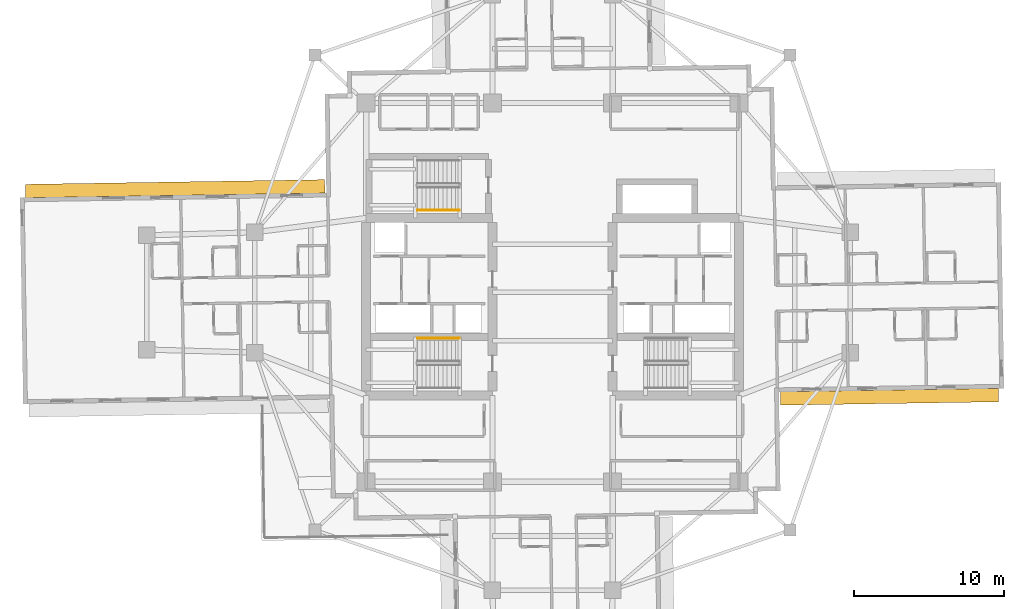
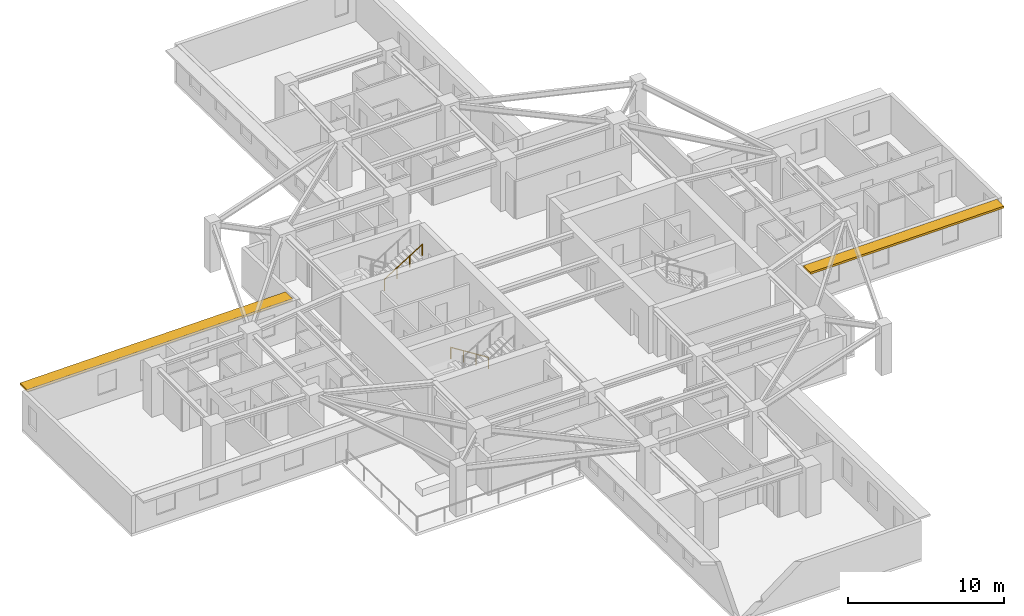
# One storey, part 12 of 14: 2 railings, 2 shading devices.
"""IFC4 building model written with IfcOpenShell, lengths in metres."""

from ifc_helpers import new_model, si_unit, direction, frame, origin, origin_2d, place, context, subcontext, project, spatial, rectangle, circle, extrude, material, layer, layer_set, type_object, element, save


model = new_model("IFC4")

# Units and contexts
model_context = context("Model", 3, precision=1e-05, world=origin(), true_north=direction((0.0, 1.0)))
body_context = subcontext(model_context, "Body", "Model", "MODEL_VIEW")
ifc_project = project(units=[si_unit("LENGTHUNIT", "METRE"), si_unit("AREAUNIT", "SQUARE_METRE"), si_unit("VOLUMEUNIT", "CUBIC_METRE"), si_unit("PLANEANGLEUNIT", "RADIAN"), si_unit("MASSUNIT", "GRAM", prefix="KILO")], contexts=[model_context])

# Site, building, storey
site_placement = place(None, origin())
site = spatial("IfcSite", under=ifc_project, at=site_placement, CompositionType="ELEMENT")
building_placement = place(site_placement, origin())
building = spatial("IfcBuilding", under=site, at=building_placement, Name="Qingluan Cross Belvedere", CompositionType="ELEMENT")
storey_placement = place(building_placement, frame((0.0, 0.0, 108.60009765625)))
storey = spatial("IfcBuildingStorey", under=building, at=storey_placement, Name="L27", CompositionType="ELEMENT", Elevation=108.60009765625)

# Shading devices
ifc_material_1 = material(Name="Precast concrete C45", Category="concrete")
ifc_layer = layer(ifc_material_1, 0.159912109375, Name="ConcreteSunshadeBand_900")
ifc_layer_set = layer_set([ifc_layer], Name="Precast concrete C45")
shading_device_type = type_object("IfcShadingDeviceType", Name="ConcreteSunshadeBand_900", PredefinedType="USERDEFINED", material=ifc_layer_set)
shading_device_1_placement = place(storey_placement, frame((22.40185546875, -6.93896484375, 2.7900390625), z_axis=(0.0, 0.0, 1.0), x_axis=(0.999876630106, 0.015707468526, 0.0)))
element("IfcShadingDevice", 1, at=shading_device_1_placement, inside=storey, type_object=shading_device_type, Name="Concrete SUNSHADE L27-EA", ObjectType="SUNSHADE", PredefinedType="USERDEFINED", context=body_context, shape_type="SweptSolid", body=[
    extrude(rectangle(XDim=14.5, YDim=0.89990234375, at=origin_2d()), origin(), (0.0, 0.0, 1.0), 0.159912109375),
])
shading_device_2_placement = place(storey_placement, frame((-25.101318359375, 6.896484375, 2.7900390625), z_axis=(0.0, 0.0, 1.0), x_axis=(-0.999876645576, -0.015706483741, 0.0)))
element("IfcShadingDevice", 2, at=shading_device_2_placement, inside=storey, type_object=shading_device_type, Name="Concrete SUNSHADE L27-WA", ObjectType="SUNSHADE", PredefinedType="USERDEFINED", context=body_context, shape_type="SweptSolid", body=[
    extrude(rectangle(XDim=19.89990234375, YDim=0.89990234375, at=origin_2d()), origin(), (0.0, 0.0, 1.0), 0.159912109375),
])

# Railings
ifc_material_2 = material(Name="Brushed stainless steel tubular handrail", Category="steel")
railing_type = type_object("IfcRailingType", Name="StairPitchHandrail_900", PredefinedType="HANDRAIL", material=ifc_material_2)
railing_1_placement = place(storey_placement, frame((-6.179931640625, -3.050048828125, 0.17724609375)))
element("IfcRailing", 3, at=railing_1_placement, inside=storey, type_object=railing_type, Name="L27 ST1 stair handrail 1", PredefinedType="HANDRAIL", context=body_context, shape_type="SweptSolid", body=[
    extrude(circle(Radius=0.02392578125, at=origin_2d()), frame((0.0, 0.0, 0.8759765625), z_axis=(-0.844908973607, 0.0, 0.534910110503), x_axis=(0.0, -1.0, 0.0)), (0.0, 0.0, 1.0), 3.31396484375),
    extrude(circle(Radius=0.02099609375, at=origin_2d()), origin(), (0.0, 0.0, 1.0), 0.851806640625),
    extrude(circle(Radius=0.02099609375, at=origin_2d()), frame((-0.933349609375, 0.0, 0.5908203125)), (0.0, 0.0, 1.0), 0.851806640625),
    extrude(circle(Radius=0.02099609375, at=origin_2d()), frame((-1.86669921875, 0.0, 1.181884765625)), (0.0, 0.0, 1.0), 0.851806640625),
    extrude(circle(Radius=0.02099609375, at=origin_2d()), frame((-2.800048828125, 0.0, 1.772705078125)), (0.0, 0.0, 1.0), 0.851806640625),
])
railing_2_placement = place(storey_placement, frame((-8.97998046875, 5.469970703125, 2.127197265625)))
element("IfcRailing", 4, at=railing_2_placement, inside=storey, type_object=railing_type, Name="L27 ST3 stair handrail 2", PredefinedType="HANDRAIL", context=body_context, shape_type="SweptSolid", body=[
    extrude(circle(Radius=0.02392578125, at=origin_2d()), frame((0.0, 0.0, 0.8759765625), z_axis=(0.844908973607, 0.0, 0.534910110503), x_axis=(0.0, 1.0, 0.0)), (0.0, 0.0, 1.0), 3.31396484375),
    extrude(circle(Radius=0.02099609375, at=origin_2d()), origin(), (0.0, 0.0, 1.0), 0.851806640625),
    extrude(circle(Radius=0.02099609375, at=origin_2d()), frame((0.933349609375, 0.0, 0.5908203125)), (0.0, 0.0, 1.0), 0.851806640625),
    extrude(circle(Radius=0.02099609375, at=origin_2d()), frame((1.86669921875, 0.0, 1.181884765625)), (0.0, 0.0, 1.0), 0.851806640625),
    extrude(circle(Radius=0.02099609375, at=origin_2d()), frame((2.800048828125, 0.0, 1.772705078125)), (0.0, 0.0, 1.0), 0.851806640625),
])

save(model, "model.ifc")
